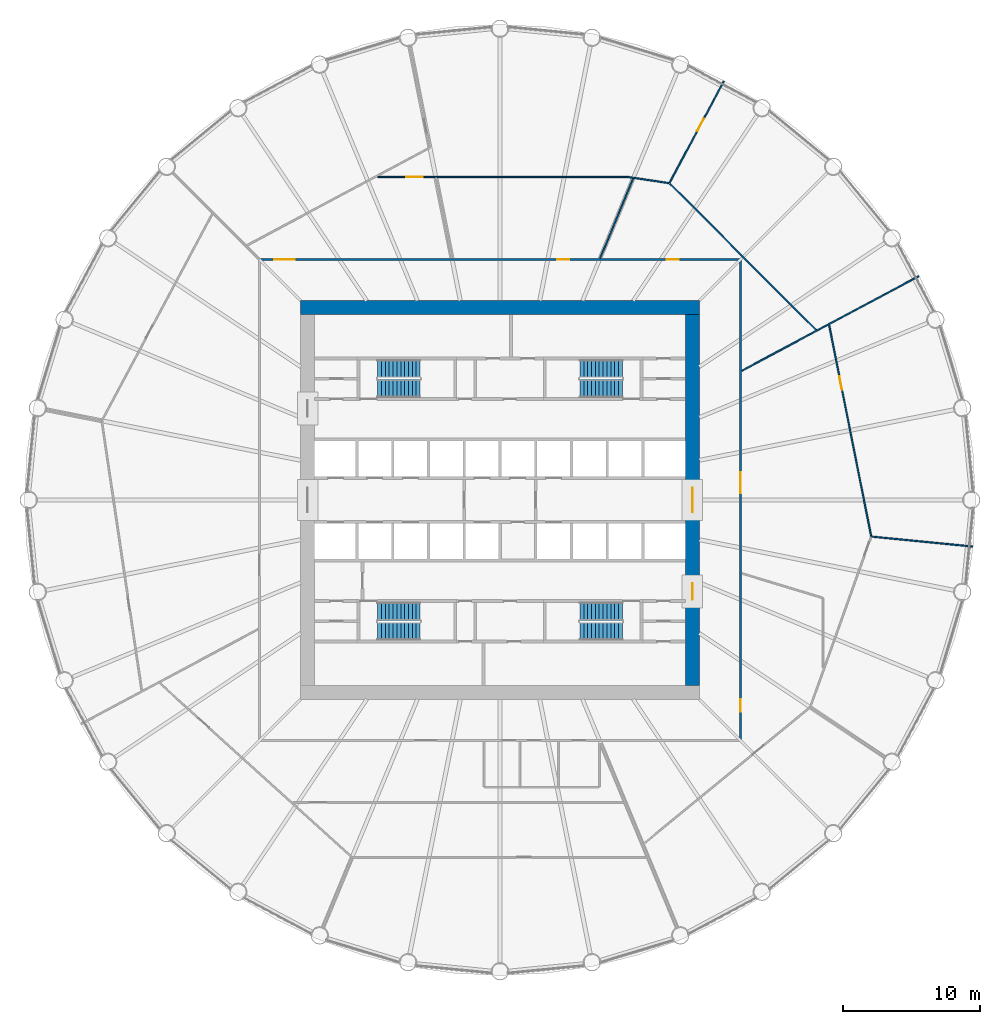
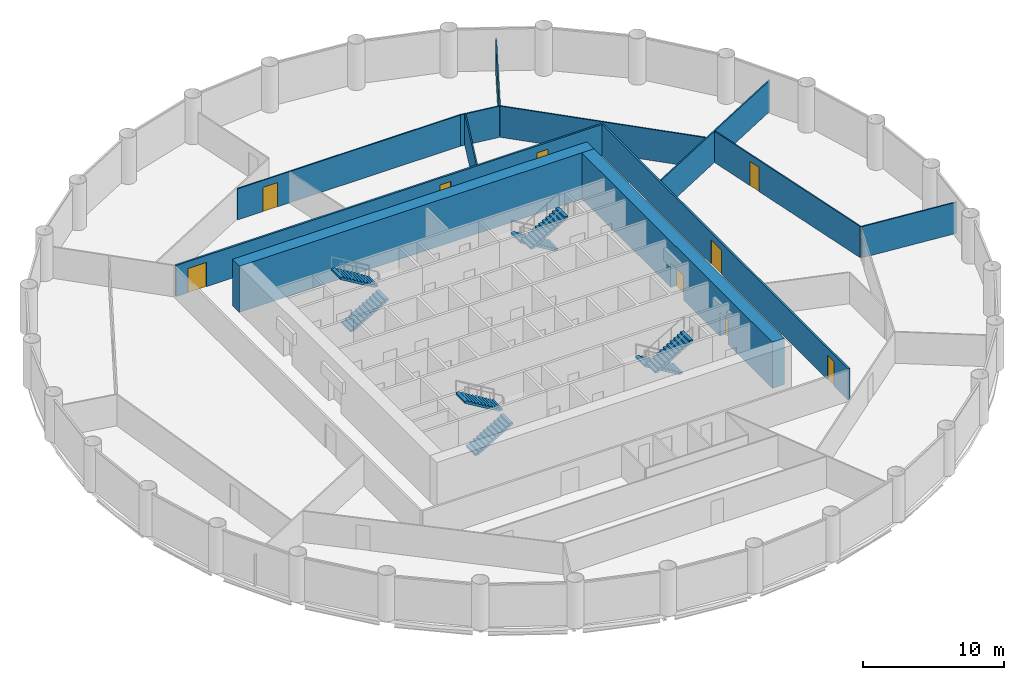
# One storey, part 7 of 8: 12 walls, 10 doors, 8 stair flights, 10 openings, 4 elements without a shape of their own.
"""IFC4 building model written with IfcOpenShell, lengths in metres."""

from ifc_helpers import new_model, si_unit, direction, frame, frame_2d, origin, place, context, subcontext, project, spatial, polyline, rectangle, outline, extrude, material, layer, layer_set, type_object, element, fill, aggregate, save


model = new_model("IFC4")

# Units and contexts
model_context = context("Model", 3, precision=1e-05, world=origin(), true_north=direction((0.0, 1.0)))
body_context = subcontext(model_context, "Body", "Model", "MODEL_VIEW")
ifc_project = project(units=[si_unit("LENGTHUNIT", "METRE"), si_unit("AREAUNIT", "SQUARE_METRE"), si_unit("VOLUMEUNIT", "CUBIC_METRE"), si_unit("PLANEANGLEUNIT", "RADIAN"), si_unit("MASSUNIT", "GRAM", prefix="KILO")], contexts=[model_context])

# Site, building, storey
site_placement = place(None, origin())
site = spatial("IfcSite", under=ifc_project, at=site_placement, CompositionType="ELEMENT")
building_placement = place(site_placement, origin())
building = spatial("IfcBuilding", under=site, at=building_placement, Name="Corvane Civic Tower", CompositionType="ELEMENT")
storey_placement = place(building_placement, frame((0.0, 0.0, 114.5)))
storey = spatial("IfcBuildingStorey", under=building, at=storey_placement, Name="L26", CompositionType="ELEMENT", Elevation=114.5)

# Wall
ifc_material_1 = material(Name="Concrete C70/85", Category="concrete")
ifc_layer_1 = layer(ifc_material_1, 1.0)
ifc_layer_set_1 = layer_set([ifc_layer_1], Name="Concrete C70/85")
wall_type_1 = type_object("IfcWallType", Name="CORE WALL 1000 C70/85", PredefinedType="SHEAR", material=ifc_layer_set_1)
wall_1_placement = place(storey_placement, frame((-14.5, 14.0, 0.0), z_axis=(0.0, 0.0, 1.0), x_axis=(1.0, 0.0, 0.0)))
element("IfcWall", 1, at=wall_1_placement, inside=storey, type_object=wall_type_1, Name="W-L26-core-N", PredefinedType="SHEAR", context=body_context, shape_type="SweptSolid", body=[
    extrude(rectangle(XDim=29.0, YDim=1.0, at=frame_2d((14.5, 0.0))), origin(), (0.0, 0.0, 1.0), 4.0),
])

# Wall, openings, doors
wall_2_placement = place(storey_placement, frame((14.0, -13.5, 0.0), z_axis=(0.0, 0.0, 1.0), x_axis=(0.0, 1.0, 0.0)))
wall_2 = element("IfcWall", 2, at=wall_2_placement, inside=storey, type_object=wall_type_1, Name="W-L26-core-E", PredefinedType="SHEAR", context=body_context, shape_type="SweptSolid", body=[
    extrude(rectangle(XDim=27.0, YDim=1.0, at=frame_2d((13.5, 0.0))), origin(), (0.0, 0.0, 1.0), 4.0),
])
opening_1_placement = place(wall_2_placement, frame((12.60009765625, 0.0, 0.0)))
opening_1 = element("IfcOpeningElement", 3, at=opening_1_placement, cuts=wall_2, Name="Opening L26.C28", PredefinedType="OPENING", context=body_context, shape_type="SweptSolid", body=[
    extrude(rectangle(XDim=1.800048828125, YDim=2.10009765625, at=frame_2d((0.89990234375, 1.050048828125))), frame((0.0, 0.510009765625, 0.0), z_axis=(0.0, -1.0, 0.0), x_axis=(1.0, 0.0, 0.0)), (0.0, 0.0, 1.0), 1.02001953125),
])
opening_2_placement = place(wall_2_placement, frame((6.25, 0.0, 0.0)))
opening_2 = element("IfcOpeningElement", 4, at=opening_2_placement, cuts=wall_2, Name="Opening L26.C30", PredefinedType="OPENING", context=body_context, shape_type="SweptSolid", body=[
    extrude(rectangle(XDim=1.199951171875, YDim=2.10009765625, at=frame_2d((0.60009765625, 1.050048828125))), frame((0.0, 0.510009765625, 0.0), z_axis=(0.0, -1.0, 0.0), x_axis=(1.0, 0.0, 0.0)), (0.0, 0.0, 1.0), 1.02001953125),
])
ifc_material_2 = material(Name="Steel fire door leaf", Category="steel")
door_type_1 = type_object("IfcDoorType", Name="CR-DOOR-CORE-1800", OperationType="DOUBLE_DOOR_SINGLE_SWING", PredefinedType="DOOR", material=ifc_material_2)
door_1_placement = place(opening_1_placement, origin())
door_1 = element("IfcDoor", 5, at=door_1_placement, inside=storey, type_object=door_type_1, Name="L26 door", OperationType="DOUBLE_DOOR_SINGLE_SWING", OverallHeight=2.10009765625, OverallWidth=1.800048828125, PredefinedType="DOOR", context=body_context, shape_type="SweptSolid", body=[
    extrude(rectangle(XDim=1.800048828125, YDim=2.10009765625, at=frame_2d((0.89990234375, 1.050048828125))), frame((0.0, 0.02490234375, 0.0), z_axis=(0.0, -1.0, 0.0), x_axis=(1.0, 0.0, 0.0)), (0.0, 0.0, 1.0), 0.050048828125),
])
fill(opening_1, door_1)
door_2_placement = place(opening_2_placement, origin())
door_2 = element("IfcDoor", 6, at=door_2_placement, inside=storey, type_object=door_type_1, Name="L26 door", OperationType="DOUBLE_DOOR_SINGLE_SWING", OverallHeight=2.10009765625, OverallWidth=1.199951171875, PredefinedType="DOOR", context=body_context, shape_type="SweptSolid", body=[
    extrude(rectangle(XDim=1.199951171875, YDim=2.10009765625, at=frame_2d((0.60009765625, 1.050048828125))), frame((0.0, 0.02490234375, 0.0), z_axis=(0.0, -1.0, 0.0), x_axis=(1.0, 0.0, 0.0)), (0.0, 0.0, 1.0), 0.050048828125),
])
fill(opening_2, door_2)

# Wall
ifc_material_3 = material(Name="Plasterboard")
ifc_layer_2 = layer(ifc_material_3, 0.10009765625)
ifc_layer_set_2 = layer_set([ifc_layer_2], Name="Plasterboard")
wall_type_2 = type_object("IfcWallType", Name="Partition 100 plasterboard on studs", PredefinedType="PARTITIONING", material=ifc_layer_set_2)
wall_3_placement = place(storey_placement, frame((27.04931640625, -2.6640625, 0.0), z_axis=(0.0, 0.0, 1.0), x_axis=(0.995184334833, -0.09802111866, 0.0)))
element("IfcWall", 7, at=wall_3_placement, inside=storey, type_object=wall_type_2, Name="Partition L26.021", PredefinedType="PARTITIONING", context=body_context, shape_type="SweptSolid", body=[
    extrude(rectangle(XDim=7.369873046875, YDim=0.10009765625, at=frame_2d((3.68505859375, 0.0))), origin(), (0.0, 0.0, 1.0), 2.699951171875),
])

# Wall, opening, door
wall_4_placement = place(storey_placement, frame((23.94970703125, 12.728271484375, 0.0), z_axis=(0.0, 0.0, 1.0), x_axis=(0.195090209706, -0.980785302743, 0.0)))
wall_4 = element("IfcWall", 8, at=wall_4_placement, inside=storey, type_object=wall_type_2, Name="Partition L26.022", PredefinedType="PARTITIONING", context=body_context, shape_type="SweptSolid", body=[
    extrude(rectangle(XDim=15.65283203125, YDim=0.10009765625, at=frame_2d((7.826416015625, 0.0))), origin(), (0.0, 0.0, 1.0), 2.699951171875),
])
opening_3_placement = place(wall_4_placement, frame((3.80029296875, 0.0, 0.0)))
opening_3 = element("IfcOpeningElement", 9, at=opening_3_placement, cuts=wall_4, Name="Opening L26.017", PredefinedType="OPENING", context=body_context, shape_type="SweptSolid", body=[
    extrude(rectangle(XDim=1.0, YDim=2.10009765625, at=frame_2d((0.5, 1.050048828125))), frame((0.0, 0.06005859375, 0.0), z_axis=(0.0, -1.0, 0.0), x_axis=(1.0, 0.0, 0.0)), (0.0, 0.0, 1.0), 0.1201171875),
])
ifc_material_4 = material(Name="Timber", Category="wood")
door_type_2 = type_object("IfcDoorType", Name="Single door 1000", OperationType="NOTDEFINED", PredefinedType="DOOR", material=ifc_material_4)
door_3_placement = place(opening_3_placement, origin())
door_3 = element("IfcDoor", 10, at=door_3_placement, inside=storey, type_object=door_type_2, Name="Door L26.017", OperationType="SINGLE_SWING_LEFT", OverallHeight=2.10009765625, OverallWidth=1.0, PredefinedType="DOOR", context=body_context, shape_type="SweptSolid", body=[
    extrude(rectangle(XDim=1.0, YDim=2.10009765625, at=frame_2d((0.5, 1.050048828125))), frame((0.0, 0.02490234375, 0.0), z_axis=(0.0, -1.0, 0.0), x_axis=(1.0, 0.0, 0.0)), (0.0, 0.0, 1.0), 0.050048828125),
])
fill(opening_3, door_3)

# Walls
wall_5_placement = place(storey_placement, frame((17.5986328125, 9.406494140625, 0.0), z_axis=(0.0, 0.0, 1.0), x_axis=(0.881914523069, 0.471409348655, 0.0)))
element("IfcWall", 11, at=wall_5_placement, inside=storey, type_object=wall_type_2, Name="Partition L26.025", PredefinedType="PARTITIONING", context=body_context, shape_type="SweptSolid", body=[
    extrude(rectangle(XDim=14.59521484375, YDim=0.10009765625, at=frame_2d((7.297607421875, 0.0))), origin(), (0.0, 0.0, 1.0), 2.699951171875),
])
wall_6_placement = place(storey_placement, frame((12.348388671875, 23.027099609375, 0.0), z_axis=(0.0, 0.0, 1.0), x_axis=(0.707122979727, -0.707090582275, 0.0)))
element("IfcWall", 12, at=wall_6_placement, inside=storey, type_object=wall_type_2, Name="Partition L26.026", PredefinedType="PARTITIONING", context=body_context, shape_type="SweptSolid", body=[
    extrude(rectangle(XDim=15.071533203125, YDim=0.10009765625, at=frame_2d((7.53564453125, 0.0))), origin(), (0.0, 0.0, 1.0), 2.699951171875),
])
wall_7_placement = place(storey_placement, frame((7.28759765625, 17.593994140625, 0.0), z_axis=(0.0, 0.0, 1.0), x_axis=(0.382691384882, 0.923876238431, 0.0)))
element("IfcWall", 13, at=wall_7_placement, inside=storey, type_object=wall_type_2, Name="Partition L26.030", PredefinedType="PARTITIONING", context=body_context, shape_type="SweptSolid", body=[
    extrude(rectangle(XDim=6.2646484375, YDim=0.10009765625, at=frame_2d((3.13232421875, 0.0))), origin(), (0.0, 0.0, 1.0), 2.699951171875),
])
wall_8_placement = place(storey_placement, frame((9.315673828125, 23.49951171875, 0.0), z_axis=(0.0, 0.0, 1.0), x_axis=(0.989172900359, -0.146754806379, 0.0)))
element("IfcWall", 14, at=wall_8_placement, inside=storey, type_object=wall_type_2, Name="Partition L26.032", PredefinedType="PARTITIONING", context=body_context, shape_type="SweptSolid", body=[
    extrude(rectangle(XDim=3.00439453125, YDim=0.10009765625, at=frame_2d((1.502197265625, 0.0))), origin(), (0.0, 0.0, 1.0), 2.699951171875),
])

# Wall, opening, door
wall_9_placement = place(storey_placement, frame((12.33984375, 23.086181640625, 0.0), z_axis=(0.0, 0.0, 1.0), x_axis=(0.471400732422, 0.881919128646, 0.0)))
wall_9 = element("IfcWall", 15, at=wall_9_placement, inside=storey, type_object=wall_type_2, Name="Partition L26.033", PredefinedType="PARTITIONING", context=body_context, shape_type="SweptSolid", body=[
    extrude(rectangle(XDim=8.373046875, YDim=0.10009765625, at=frame_2d((4.1865234375, 0.0))), origin(), (0.0, 0.0, 1.0), 2.699951171875),
])
opening_4_placement = place(wall_9_placement, frame((4.275146484375, 0.0, 0.0)))
opening_4 = element("IfcOpeningElement", 16, at=opening_4_placement, cuts=wall_9, Name="Opening L26.012", PredefinedType="OPENING", context=body_context, shape_type="SweptSolid", body=[
    extrude(rectangle(XDim=1.0, YDim=2.10009765625, at=frame_2d((0.5, 1.050048828125))), frame((0.0, 0.06005859375, 0.0), z_axis=(0.0, -1.0, 0.0), x_axis=(1.0, 0.0, 0.0)), (0.0, 0.0, 1.0), 0.1201171875),
])
door_4_placement = place(opening_4_placement, frame((1.0, 0.0, 0.0), z_axis=(0.0, 0.0, 1.0), x_axis=(-1.0, 0.0, 0.0)))
door_4 = element("IfcDoor", 17, at=door_4_placement, inside=storey, type_object=door_type_2, Name="Door L26.012", OperationType="SINGLE_SWING_LEFT", OverallHeight=2.10009765625, OverallWidth=1.0, PredefinedType="DOOR", context=body_context, shape_type="SweptSolid", body=[
    extrude(rectangle(XDim=1.0, YDim=2.10009765625, at=frame_2d((0.5, 1.050048828125))), frame((0.0, 0.02490234375, 0.0), z_axis=(0.0, -1.0, 0.0), x_axis=(1.0, 0.0, 0.0)), (0.0, 0.0, 1.0), 0.050048828125),
])
fill(opening_4, door_4)

wall_10_placement = place(storey_placement, frame((-8.899658203125, 23.5, 0.0), z_axis=(0.0, 0.0, 1.0), x_axis=(1.0, 0.0, 0.0)))
wall_10 = element("IfcWall", 18, at=wall_10_placement, inside=storey, type_object=wall_type_2, Name="Partition L26.034", PredefinedType="PARTITIONING", context=body_context, shape_type="SweptSolid", body=[
    extrude(rectangle(XDim=18.2080078125, YDim=0.10009765625, at=frame_2d((9.10400390625, 0.0))), origin(), (0.0, 0.0, 1.0), 2.699951171875),
])
opening_5_placement = place(wall_10_placement, frame((2.069091796875, 0.0, 0.0)))
opening_5 = element("IfcOpeningElement", 19, at=opening_5_placement, cuts=wall_10, Name="Opening L26.013", PredefinedType="OPENING", context=body_context, shape_type="SweptSolid", body=[
    extrude(rectangle(XDim=1.199951171875, YDim=2.10009765625, at=frame_2d((0.60009765625, 1.050048828125))), frame((0.0, 0.06005859375, 0.0), z_axis=(0.0, -1.0, 0.0), x_axis=(1.0, 0.0, 0.0)), (0.0, 0.0, 1.0), 0.1201171875),
])
ifc_material_5 = material(Name="Timber", Category="wood")
door_type_3 = type_object("IfcDoorType", Name="Double door 1200", OperationType="NOTDEFINED", PredefinedType="DOOR", material=ifc_material_5)
door_5_placement = place(opening_5_placement, origin())
door_5 = element("IfcDoor", 20, at=door_5_placement, inside=storey, type_object=door_type_3, Name="Door L26.013", OperationType="DOUBLE_DOOR_SINGLE_SWING", OverallHeight=2.10009765625, OverallWidth=1.199951171875, PredefinedType="DOOR", context=body_context, shape_type="SweptSolid", body=[
    extrude(rectangle(XDim=1.199951171875, YDim=2.10009765625, at=frame_2d((0.60009765625, 1.050048828125))), frame((0.0, 0.02490234375, 0.0), z_axis=(0.0, -1.0, 0.0), x_axis=(1.0, 0.0, 0.0)), (0.0, 0.0, 1.0), 0.050048828125),
])
fill(opening_5, door_5)

# Wall, openings, doors
ifc_material_6 = material(Name="Plasterboard")
ifc_layer_3 = layer(ifc_material_6, 0.14990234375)
ifc_layer_set_3 = layer_set([ifc_layer_3], Name="Plasterboard")
wall_type_3 = type_object("IfcWallType", Name="Tenancy wall 150 EI 60", PredefinedType="PARTITIONING", material=ifc_layer_set_3)
wall_11_placement = place(storey_placement, frame((17.5, -17.425048828125, 0.0), z_axis=(0.0, 0.0, 1.0), x_axis=(0.0, 1.0, 0.0)))
wall_11 = element("IfcWall", 21, at=wall_11_placement, inside=storey, type_object=wall_type_3, Name="Partition L26.015", PredefinedType="PARTITIONING", context=body_context, shape_type="SweptSolid", body=[
    extrude(rectangle(XDim=34.85009765625, YDim=0.14990234375, at=frame_2d((17.425048828125, 0.0))), origin(), (0.0, 0.0, 1.0), 2.699951171875),
])
opening_6_placement = place(wall_11_placement, frame((17.930419921875, 0.0, 0.0)))
opening_6 = element("IfcOpeningElement", 22, at=opening_6_placement, cuts=wall_11, Name="Opening L26.020", PredefinedType="OPENING", context=body_context, shape_type="SweptSolid", body=[
    extrude(rectangle(XDim=1.5, YDim=2.10009765625, at=frame_2d((0.75, 1.050048828125))), frame((0.0, 0.0849609375, 0.0), z_axis=(0.0, -1.0, 0.0), x_axis=(1.0, 0.0, 0.0)), (0.0, 0.0, 1.0), 0.169921875),
])
opening_7_placement = place(wall_11_placement, frame((2.022705078125, 0.0, 0.0)))
opening_7 = element("IfcOpeningElement", 23, at=opening_7_placement, cuts=wall_11, Name="Opening L26.021", PredefinedType="OPENING", context=body_context, shape_type="SweptSolid", body=[
    extrude(rectangle(XDim=0.89990234375, YDim=2.10009765625, at=frame_2d((0.449951171875, 1.050048828125))), frame((0.0, 0.0849609375, 0.0), z_axis=(0.0, -1.0, 0.0), x_axis=(1.0, 0.0, 0.0)), (0.0, 0.0, 1.0), 0.169921875),
])
ifc_material_7 = material(Name="Steel and timber", Category="steel")
door_type_4 = type_object("IfcDoorType", Name="Fire door FD30S 900", OperationType="NOTDEFINED", PredefinedType="DOOR", material=ifc_material_7)
door_6_placement = place(opening_7_placement, frame((0.89990234375, 0.0, 0.0), z_axis=(0.0, 0.0, 1.0), x_axis=(-1.0, 0.0, 0.0)))
door_6 = element("IfcDoor", 24, at=door_6_placement, inside=storey, type_object=door_type_4, Name="Door L26.021", OperationType="SINGLE_SWING_LEFT", OverallHeight=2.10009765625, OverallWidth=0.89990234375, PredefinedType="DOOR", context=body_context, shape_type="SweptSolid", body=[
    extrude(rectangle(XDim=0.89990234375, YDim=2.10009765625, at=frame_2d((0.449951171875, 1.050048828125))), frame((0.0, 0.02490234375, 0.0), z_axis=(0.0, -1.0, 0.0), x_axis=(1.0, 0.0, 0.0)), (0.0, 0.0, 1.0), 0.050048828125),
])
fill(opening_7, door_6)
ifc_material_8 = material(Name="Steel and timber", Category="steel")
door_type_5 = type_object("IfcDoorType", Name="Fire door FD60 double 1500", OperationType="NOTDEFINED", PredefinedType="DOOR", material=ifc_material_8)
door_7_placement = place(opening_6_placement, frame((1.5, 0.0, 0.0), z_axis=(0.0, 0.0, 1.0), x_axis=(-1.0, 0.0, 0.0)))
door_7 = element("IfcDoor", 25, at=door_7_placement, inside=storey, type_object=door_type_5, Name="Door L26.020", OperationType="DOUBLE_DOOR_SINGLE_SWING", OverallHeight=2.10009765625, OverallWidth=1.5, PredefinedType="DOOR", context=body_context, shape_type="SweptSolid", body=[
    extrude(rectangle(XDim=1.5, YDim=2.10009765625, at=frame_2d((0.75, 1.050048828125))), frame((0.0, 0.02490234375, 0.0), z_axis=(0.0, -1.0, 0.0), x_axis=(1.0, 0.0, 0.0)), (0.0, 0.0, 1.0), 0.050048828125),
])
fill(opening_6, door_7)

wall_12_placement = place(storey_placement, frame((-17.425048828125, 17.5, 0.0), z_axis=(0.0, 0.0, 1.0), x_axis=(1.0, 0.0, 0.0)))
wall_12 = element("IfcWall", 26, at=wall_12_placement, inside=storey, type_object=wall_type_3, Name="Partition L26.027", PredefinedType="PARTITIONING", context=body_context, shape_type="SweptSolid", body=[
    extrude(rectangle(XDim=34.85009765625, YDim=0.14990234375, at=frame_2d((17.425048828125, 0.0))), origin(), (0.0, 0.0, 1.0), 2.699951171875),
])
opening_8_placement = place(wall_12_placement, frame((1.00048828125, 0.0, 0.0)))
opening_8 = element("IfcOpeningElement", 27, at=opening_8_placement, cuts=wall_12, Name="Opening L26.014", PredefinedType="OPENING", context=body_context, shape_type="SweptSolid", body=[
    extrude(rectangle(XDim=1.5, YDim=2.10009765625, at=frame_2d((0.75, 1.050048828125))), frame((0.0, 0.0849609375, 0.0), z_axis=(0.0, -1.0, 0.0), x_axis=(1.0, 0.0, 0.0)), (0.0, 0.0, 1.0), 0.169921875),
])
opening_9_placement = place(wall_12_placement, frame((21.578857421875, 0.0, 0.0)))
opening_9 = element("IfcOpeningElement", 28, at=opening_9_placement, cuts=wall_12, Name="Opening L26.015", PredefinedType="OPENING", context=body_context, shape_type="SweptSolid", body=[
    extrude(rectangle(XDim=0.89990234375, YDim=2.10009765625, at=frame_2d((0.449951171875, 1.050048828125))), frame((0.0, 0.0849609375, 0.0), z_axis=(0.0, -1.0, 0.0), x_axis=(1.0, 0.0, 0.0)), (0.0, 0.0, 1.0), 0.169921875),
])
opening_10_placement = place(wall_12_placement, frame((29.5458984375, 0.0, 0.0)))
opening_10 = element("IfcOpeningElement", 29, at=opening_10_placement, cuts=wall_12, Name="Opening L26.016", PredefinedType="OPENING", context=body_context, shape_type="SweptSolid", body=[
    extrude(rectangle(XDim=0.89990234375, YDim=2.10009765625, at=frame_2d((0.449951171875, 1.050048828125))), frame((0.0, 0.0849609375, 0.0), z_axis=(0.0, -1.0, 0.0), x_axis=(1.0, 0.0, 0.0)), (0.0, 0.0, 1.0), 0.169921875),
])
door_8_placement = place(opening_9_placement, origin())
door_8 = element("IfcDoor", 30, at=door_8_placement, inside=storey, type_object=door_type_4, Name="Door L26.015", OperationType="SINGLE_SWING_LEFT", OverallHeight=2.10009765625, OverallWidth=0.89990234375, PredefinedType="DOOR", context=body_context, shape_type="SweptSolid", body=[
    extrude(rectangle(XDim=0.89990234375, YDim=2.10009765625, at=frame_2d((0.449951171875, 1.050048828125))), frame((0.0, 0.02490234375, 0.0), z_axis=(0.0, -1.0, 0.0), x_axis=(1.0, 0.0, 0.0)), (0.0, 0.0, 1.0), 0.050048828125),
])
fill(opening_9, door_8)
door_9_placement = place(opening_10_placement, origin())
door_9 = element("IfcDoor", 31, at=door_9_placement, inside=storey, type_object=door_type_4, Name="Door L26.016", OperationType="SINGLE_SWING_RIGHT", OverallHeight=2.10009765625, OverallWidth=0.89990234375, PredefinedType="DOOR", context=body_context, shape_type="SweptSolid", body=[
    extrude(rectangle(XDim=0.89990234375, YDim=2.10009765625, at=frame_2d((0.449951171875, 1.050048828125))), frame((0.0, 0.02490234375, 0.0), z_axis=(0.0, -1.0, 0.0), x_axis=(1.0, 0.0, 0.0)), (0.0, 0.0, 1.0), 0.050048828125),
])
fill(opening_10, door_9)
door_10_placement = place(opening_8_placement, origin())
door_10 = element("IfcDoor", 32, at=door_10_placement, inside=storey, type_object=door_type_5, Name="Door L26.014", OperationType="DOUBLE_DOOR_SINGLE_SWING", OverallHeight=2.10009765625, OverallWidth=1.5, PredefinedType="DOOR", context=body_context, shape_type="SweptSolid", body=[
    extrude(rectangle(XDim=1.5, YDim=2.10009765625, at=frame_2d((0.75, 1.050048828125))), frame((0.0, 0.02490234375, 0.0), z_axis=(0.0, -1.0, 0.0), x_axis=(1.0, 0.0, 0.0)), (0.0, 0.0, 1.0), 0.050048828125),
])
fill(opening_8, door_10)

# Stair, stair flights
ifc_material_9 = material(Name="Concrete C40/50", Category="concrete")
stair_type = type_object("IfcStairType", Name="ST-STAIR-HALFTURN", PredefinedType="HALF_TURN_STAIR", material=ifc_material_9)
stair_1_placement = place(storey_placement, origin())
stair_1 = element("IfcStair", 33, at=stair_1_placement, inside=storey, type_object=stair_type, Name="L26 Exit stair ST1", PredefinedType="HALF_TURN_STAIR")
ifc_material_10 = material(Name="Concrete C40/50", Category="concrete")
stair_flight_type = type_object("IfcStairFlightType", Name="ST-FLIGHT-RC", PredefinedType="STRAIGHT", material=ifc_material_10)
stair_flight_1_placement = place(storey_placement, frame((8.89990234375, 9.550048828125, 0.0), z_axis=(0.0, 0.0, 1.0), x_axis=(-1.0, 0.0, 0.0)))
stair_flight_1 = element("IfcStairFlight", 34, at=stair_flight_1_placement, type_object=stair_flight_type, Name="ST1 flight 1", NumberOfRisers=12, NumberOfTreads=11, PredefinedType="STRAIGHT", RiserHeight=0.166666667, TreadLength=0.28, context=body_context, shape_type="SweptSolid", body=[
    extrude(outline(polyline([(0.0, 0.0), (0.0, 0.166748046875), (0.280029296875, 0.166748046875), (0.280029296875, 0.333251953125), (0.56005859375, 0.333251953125), (0.56005859375, 0.5), (0.840087890625, 0.5), (0.840087890625, 0.666748046875), (1.1201171875, 0.666748046875), (1.1201171875, 0.833251953125), (1.39990234375, 0.833251953125), (1.39990234375, 1.0), (1.679931640625, 1.0), (1.679931640625, 1.166748046875), (1.9599609375, 1.166748046875), (1.9599609375, 1.333251953125), (2.239990234375, 1.333251953125), (2.239990234375, 1.5), (2.52001953125, 1.5), (2.52001953125, 1.666748046875), (2.800048828125, 1.666748046875), (2.800048828125, 1.833251953125), (3.080078125, 1.833251953125), (3.080078125, 2.0), (3.080078125, 1.658935546875), (0.29296875, 0.0), (0.0, 0.0)])), frame((0.0, 0.64990234375, 0.0), z_axis=(0.0, -1.0, 0.0), x_axis=(1.0, 0.0, 0.0)), (0.0, 0.0, 1.0), 1.300048828125),
])
stair_flight_2_placement = place(storey_placement, frame((5.820068359375, 8.10009765625, 2.0), z_axis=(0.0, 0.0, 1.0), x_axis=(1.0, 0.0, 0.0)))
stair_flight_2 = element("IfcStairFlight", 35, at=stair_flight_2_placement, type_object=stair_flight_type, Name="ST1 flight 2", NumberOfRisers=12, NumberOfTreads=11, PredefinedType="STRAIGHT", RiserHeight=0.166666667, TreadLength=0.28, context=body_context, shape_type="SweptSolid", body=[
    extrude(outline(polyline([(0.0, 0.0), (0.0, 0.166748046875), (0.280029296875, 0.166748046875), (0.280029296875, 0.333251953125), (0.56005859375, 0.333251953125), (0.56005859375, 0.5), (0.840087890625, 0.5), (0.840087890625, 0.666748046875), (1.1201171875, 0.666748046875), (1.1201171875, 0.833251953125), (1.39990234375, 0.833251953125), (1.39990234375, 1.0), (1.679931640625, 1.0), (1.679931640625, 1.166748046875), (1.9599609375, 1.166748046875), (1.9599609375, 1.333251953125), (2.239990234375, 1.333251953125), (2.239990234375, 1.5), (2.52001953125, 1.5), (2.52001953125, 1.666748046875), (2.800048828125, 1.666748046875), (2.800048828125, 1.833251953125), (3.080078125, 1.833251953125), (3.080078125, 2.0), (3.080078125, 1.658935546875), (0.29296875, 0.0), (0.0, 0.0)])), frame((0.0, 0.64990234375, 0.0), z_axis=(0.0, -1.0, 0.0), x_axis=(1.0, 0.0, 0.0)), (0.0, 0.0, 1.0), 1.300048828125),
])
aggregate(stair_1, [stair_flight_1, stair_flight_2])

stair_2_placement = place(storey_placement, origin())
stair_2 = element("IfcStair", 36, at=stair_2_placement, inside=storey, type_object=stair_type, Name="L26 Exit stair ST2", PredefinedType="HALF_TURN_STAIR")
stair_flight_3_placement = place(storey_placement, frame((8.89990234375, -8.10009765625, 0.0), z_axis=(0.0, 0.0, 1.0), x_axis=(-1.0, 0.0, 0.0)))
stair_flight_3 = element("IfcStairFlight", 37, at=stair_flight_3_placement, type_object=stair_flight_type, Name="ST2 flight 1", NumberOfRisers=12, NumberOfTreads=11, PredefinedType="STRAIGHT", RiserHeight=0.166666667, TreadLength=0.28, context=body_context, shape_type="SweptSolid", body=[
    extrude(outline(polyline([(0.0, 0.0), (0.0, 0.166748046875), (0.280029296875, 0.166748046875), (0.280029296875, 0.333251953125), (0.56005859375, 0.333251953125), (0.56005859375, 0.5), (0.840087890625, 0.5), (0.840087890625, 0.666748046875), (1.1201171875, 0.666748046875), (1.1201171875, 0.833251953125), (1.39990234375, 0.833251953125), (1.39990234375, 1.0), (1.679931640625, 1.0), (1.679931640625, 1.166748046875), (1.9599609375, 1.166748046875), (1.9599609375, 1.333251953125), (2.239990234375, 1.333251953125), (2.239990234375, 1.5), (2.52001953125, 1.5), (2.52001953125, 1.666748046875), (2.800048828125, 1.666748046875), (2.800048828125, 1.833251953125), (3.080078125, 1.833251953125), (3.080078125, 2.0), (3.080078125, 1.658935546875), (0.29296875, 0.0), (0.0, 0.0)])), frame((0.0, 0.64990234375, 0.0), z_axis=(0.0, -1.0, 0.0), x_axis=(1.0, 0.0, 0.0)), (0.0, 0.0, 1.0), 1.300048828125),
])
stair_flight_4_placement = place(storey_placement, frame((5.820068359375, -9.550048828125, 2.0), z_axis=(0.0, 0.0, 1.0), x_axis=(1.0, 0.0, 0.0)))
stair_flight_4 = element("IfcStairFlight", 38, at=stair_flight_4_placement, type_object=stair_flight_type, Name="ST2 flight 2", NumberOfRisers=12, NumberOfTreads=11, PredefinedType="STRAIGHT", RiserHeight=0.166666667, TreadLength=0.28, context=body_context, shape_type="SweptSolid", body=[
    extrude(outline(polyline([(0.0, 0.0), (0.0, 0.166748046875), (0.280029296875, 0.166748046875), (0.280029296875, 0.333251953125), (0.56005859375, 0.333251953125), (0.56005859375, 0.5), (0.840087890625, 0.5), (0.840087890625, 0.666748046875), (1.1201171875, 0.666748046875), (1.1201171875, 0.833251953125), (1.39990234375, 0.833251953125), (1.39990234375, 1.0), (1.679931640625, 1.0), (1.679931640625, 1.166748046875), (1.9599609375, 1.166748046875), (1.9599609375, 1.333251953125), (2.239990234375, 1.333251953125), (2.239990234375, 1.5), (2.52001953125, 1.5), (2.52001953125, 1.666748046875), (2.800048828125, 1.666748046875), (2.800048828125, 1.833251953125), (3.080078125, 1.833251953125), (3.080078125, 2.0), (3.080078125, 1.658935546875), (0.29296875, 0.0), (0.0, 0.0)])), frame((0.0, 0.64990234375, 0.0), z_axis=(0.0, -1.0, 0.0), x_axis=(1.0, 0.0, 0.0)), (0.0, 0.0, 1.0), 1.300048828125),
])
aggregate(stair_2, [stair_flight_3, stair_flight_4])

stair_3_placement = place(storey_placement, origin())
stair_3 = element("IfcStair", 39, at=stair_3_placement, inside=storey, type_object=stair_type, Name="L26 Exit stair ST3", PredefinedType="HALF_TURN_STAIR")
stair_flight_5_placement = place(storey_placement, frame((-8.89990234375, -9.550048828125, 0.0), z_axis=(0.0, 0.0, 1.0), x_axis=(1.0, 0.0, 0.0)))
stair_flight_5 = element("IfcStairFlight", 40, at=stair_flight_5_placement, type_object=stair_flight_type, Name="ST3 flight 1", NumberOfRisers=12, NumberOfTreads=11, PredefinedType="STRAIGHT", RiserHeight=0.166666667, TreadLength=0.28, context=body_context, shape_type="SweptSolid", body=[
    extrude(outline(polyline([(0.0, 0.0), (0.0, 0.166748046875), (0.280029296875, 0.166748046875), (0.280029296875, 0.333251953125), (0.56005859375, 0.333251953125), (0.56005859375, 0.5), (0.840087890625, 0.5), (0.840087890625, 0.666748046875), (1.1201171875, 0.666748046875), (1.1201171875, 0.833251953125), (1.39990234375, 0.833251953125), (1.39990234375, 1.0), (1.679931640625, 1.0), (1.679931640625, 1.166748046875), (1.9599609375, 1.166748046875), (1.9599609375, 1.333251953125), (2.239990234375, 1.333251953125), (2.239990234375, 1.5), (2.52001953125, 1.5), (2.52001953125, 1.666748046875), (2.800048828125, 1.666748046875), (2.800048828125, 1.833251953125), (3.080078125, 1.833251953125), (3.080078125, 2.0), (3.080078125, 1.658935546875), (0.29296875, 0.0), (0.0, 0.0)])), frame((0.0, 0.64990234375, 0.0), z_axis=(0.0, -1.0, 0.0), x_axis=(1.0, 0.0, 0.0)), (0.0, 0.0, 1.0), 1.300048828125),
])
stair_flight_6_placement = place(storey_placement, frame((-5.820068359375, -8.10009765625, 2.0), z_axis=(0.0, 0.0, 1.0), x_axis=(-1.0, 0.0, 0.0)))
stair_flight_6 = element("IfcStairFlight", 41, at=stair_flight_6_placement, type_object=stair_flight_type, Name="ST3 flight 2", NumberOfRisers=12, NumberOfTreads=11, PredefinedType="STRAIGHT", RiserHeight=0.166666667, TreadLength=0.28, context=body_context, shape_type="SweptSolid", body=[
    extrude(outline(polyline([(0.0, 0.0), (0.0, 0.166748046875), (0.280029296875, 0.166748046875), (0.280029296875, 0.333251953125), (0.56005859375, 0.333251953125), (0.56005859375, 0.5), (0.840087890625, 0.5), (0.840087890625, 0.666748046875), (1.1201171875, 0.666748046875), (1.1201171875, 0.833251953125), (1.39990234375, 0.833251953125), (1.39990234375, 1.0), (1.679931640625, 1.0), (1.679931640625, 1.166748046875), (1.9599609375, 1.166748046875), (1.9599609375, 1.333251953125), (2.239990234375, 1.333251953125), (2.239990234375, 1.5), (2.52001953125, 1.5), (2.52001953125, 1.666748046875), (2.800048828125, 1.666748046875), (2.800048828125, 1.833251953125), (3.080078125, 1.833251953125), (3.080078125, 2.0), (3.080078125, 1.658935546875), (0.29296875, 0.0), (0.0, 0.0)])), frame((0.0, 0.64990234375, 0.0), z_axis=(0.0, -1.0, 0.0), x_axis=(1.0, 0.0, 0.0)), (0.0, 0.0, 1.0), 1.300048828125),
])
aggregate(stair_3, [stair_flight_5, stair_flight_6])

stair_4_placement = place(storey_placement, origin())
stair_4 = element("IfcStair", 42, at=stair_4_placement, inside=storey, type_object=stair_type, Name="L26 Exit stair ST4", PredefinedType="HALF_TURN_STAIR")
stair_flight_7_placement = place(storey_placement, frame((-8.89990234375, 8.10009765625, 0.0), z_axis=(0.0, 0.0, 1.0), x_axis=(1.0, 0.0, 0.0)))
stair_flight_7 = element("IfcStairFlight", 43, at=stair_flight_7_placement, type_object=stair_flight_type, Name="ST4 flight 1", NumberOfRisers=12, NumberOfTreads=11, PredefinedType="STRAIGHT", RiserHeight=0.166666667, TreadLength=0.28, context=body_context, shape_type="SweptSolid", body=[
    extrude(outline(polyline([(0.0, 0.0), (0.0, 0.166748046875), (0.280029296875, 0.166748046875), (0.280029296875, 0.333251953125), (0.56005859375, 0.333251953125), (0.56005859375, 0.5), (0.840087890625, 0.5), (0.840087890625, 0.666748046875), (1.1201171875, 0.666748046875), (1.1201171875, 0.833251953125), (1.39990234375, 0.833251953125), (1.39990234375, 1.0), (1.679931640625, 1.0), (1.679931640625, 1.166748046875), (1.9599609375, 1.166748046875), (1.9599609375, 1.333251953125), (2.239990234375, 1.333251953125), (2.239990234375, 1.5), (2.52001953125, 1.5), (2.52001953125, 1.666748046875), (2.800048828125, 1.666748046875), (2.800048828125, 1.833251953125), (3.080078125, 1.833251953125), (3.080078125, 2.0), (3.080078125, 1.658935546875), (0.29296875, 0.0), (0.0, 0.0)])), frame((0.0, 0.64990234375, 0.0), z_axis=(0.0, -1.0, 0.0), x_axis=(1.0, 0.0, 0.0)), (0.0, 0.0, 1.0), 1.300048828125),
])
stair_flight_8_placement = place(storey_placement, frame((-5.820068359375, 9.550048828125, 2.0), z_axis=(0.0, 0.0, 1.0), x_axis=(-1.0, 0.0, 0.0)))
stair_flight_8 = element("IfcStairFlight", 44, at=stair_flight_8_placement, type_object=stair_flight_type, Name="ST4 flight 2", NumberOfRisers=12, NumberOfTreads=11, PredefinedType="STRAIGHT", RiserHeight=0.166666667, TreadLength=0.28, context=body_context, shape_type="SweptSolid", body=[
    extrude(outline(polyline([(0.0, 0.0), (0.0, 0.166748046875), (0.280029296875, 0.166748046875), (0.280029296875, 0.333251953125), (0.56005859375, 0.333251953125), (0.56005859375, 0.5), (0.840087890625, 0.5), (0.840087890625, 0.666748046875), (1.1201171875, 0.666748046875), (1.1201171875, 0.833251953125), (1.39990234375, 0.833251953125), (1.39990234375, 1.0), (1.679931640625, 1.0), (1.679931640625, 1.166748046875), (1.9599609375, 1.166748046875), (1.9599609375, 1.333251953125), (2.239990234375, 1.333251953125), (2.239990234375, 1.5), (2.52001953125, 1.5), (2.52001953125, 1.666748046875), (2.800048828125, 1.666748046875), (2.800048828125, 1.833251953125), (3.080078125, 1.833251953125), (3.080078125, 2.0), (3.080078125, 1.658935546875), (0.29296875, 0.0), (0.0, 0.0)])), frame((0.0, 0.64990234375, 0.0), z_axis=(0.0, -1.0, 0.0), x_axis=(1.0, 0.0, 0.0)), (0.0, 0.0, 1.0), 1.300048828125),
])
aggregate(stair_4, [stair_flight_7, stair_flight_8])

save(model, "model.ifc")
